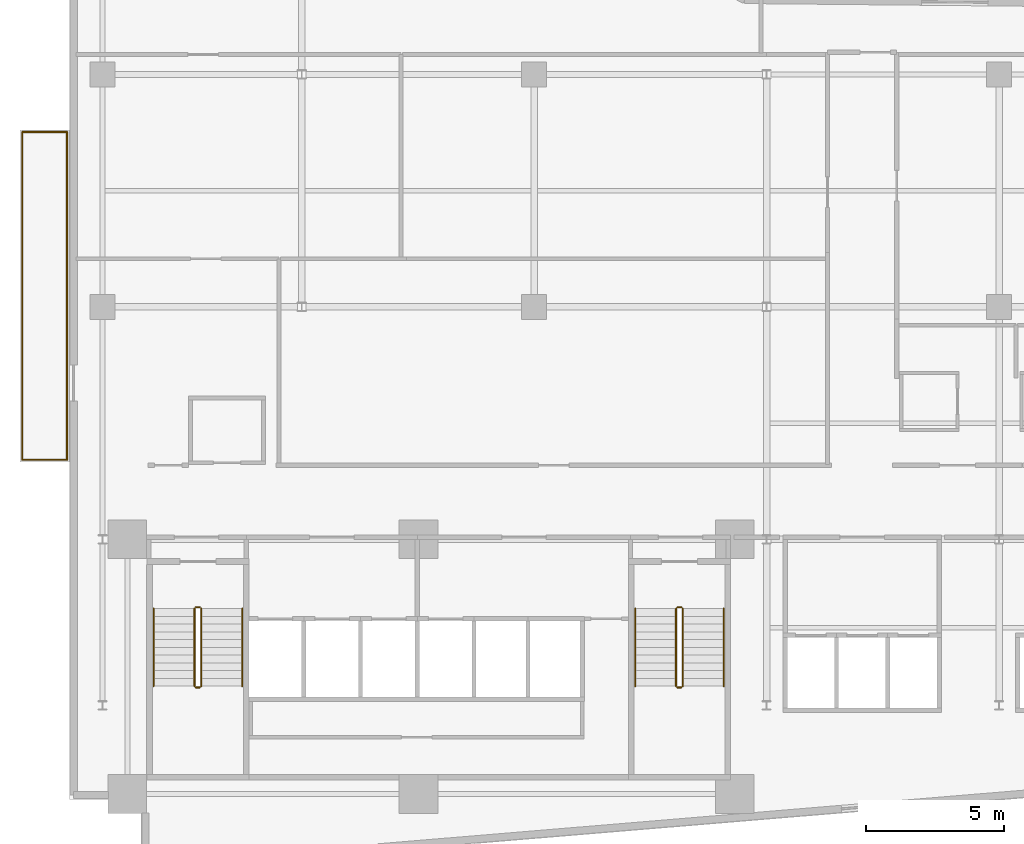
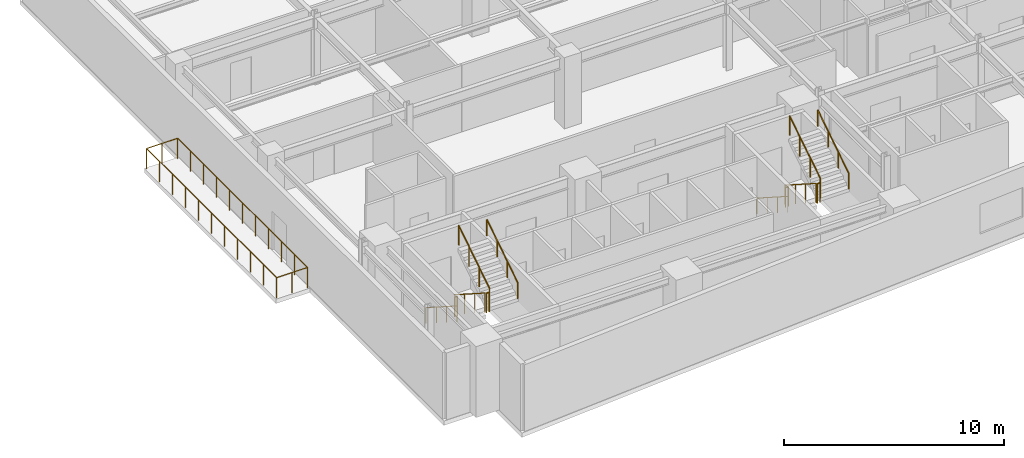
# One storey, part 16 of 19: 16 railings.
"""IFC4 building model written with IfcOpenShell, lengths in metres."""

from ifc_helpers import new_model, si_unit, direction, frame, origin, origin_2d, place, context, subcontext, project, spatial, circle, extrude, material, type_object, element, save


model = new_model("IFC4")

# Units and contexts
model_context = context("Model", 3, precision=1e-05, world=origin(), true_north=direction((0.0, 1.0)))
body_context = subcontext(model_context, "Body", "Model", "MODEL_VIEW")
ifc_project = project(units=[si_unit("LENGTHUNIT", "METRE"), si_unit("AREAUNIT", "SQUARE_METRE"), si_unit("VOLUMEUNIT", "CUBIC_METRE"), si_unit("PLANEANGLEUNIT", "RADIAN"), si_unit("MASSUNIT", "GRAM", prefix="KILO")], contexts=[model_context])

# Site, building, storey
site_placement = place(None, origin())
site = spatial("IfcSite", under=ifc_project, at=site_placement, CompositionType="ELEMENT")
building_placement = place(site_placement, origin())
building = spatial("IfcBuilding", under=site, at=building_placement, Name="Varnakote Quay Hospital", CompositionType="ELEMENT")
storey_placement = place(building_placement, frame((0.0, 0.0, 85.699951171875)))
storey = spatial("IfcBuildingStorey", under=building, at=storey_placement, Name="L21", CompositionType="ELEMENT", Elevation=85.699951171875)

# Railings
ifc_material_1 = material(Name="Anodised aluminium 6063-T6 Bronze", Category="aluminium")
railing_type_1 = type_object("IfcRailingType", Name="RLG-EXT-GUARD-1150", PredefinedType="GUARDRAIL", material=ifc_material_1)
railing_1_placement = place(storey_placement, frame((-0.075927734375, 14.8798828125, 0.0)))
element("IfcRailing", 1, at=railing_1_placement, inside=storey, type_object=railing_type_1, Name="L21 Zigzag Prow Healing Terrace Safety Guard", PredefinedType="GUARDRAIL", context=body_context, shape_type="SweptSolid", body=[
    extrude(circle(Radius=0.02392578125, at=origin_2d()), frame((0.0, 0.0, 1.1259765625), z_axis=(-1.0, 0.0, 0.0), x_axis=(0.0, -1.0, 0.0)), (0.0, 0.0, 1.0), 1.6240234375),
    extrude(circle(Radius=0.02099609375, at=origin_2d()), origin(), (0.0, 0.0, 1.0), 1.101806640625),
    extrude(circle(Radius=0.02099609375, at=origin_2d()), frame((-0.81201171875, 0.0, 0.0)), (0.0, 0.0, 1.0), 1.101806640625),
    extrude(circle(Radius=0.02099609375, at=origin_2d()), frame((-1.6240234375, 0.0, 0.0)), (0.0, 0.0, 1.0), 1.101806640625),
])
railing_2_placement = place(storey_placement, frame((-1.699951171875, 14.8798828125, 0.0)))
element("IfcRailing", 2, at=railing_2_placement, inside=storey, type_object=railing_type_1, Name="L21 Zigzag Prow Healing Terrace Safety Guard", PredefinedType="GUARDRAIL", context=body_context, shape_type="SweptSolid", body=[
    extrude(circle(Radius=0.02392578125, at=origin_2d()), frame((0.0, 0.0, 1.1259765625), z_axis=(0.0, 1.0, 0.0), x_axis=(-1.0, 0.0, 0.0)), (0.0, 0.0, 1.0), 11.840087890625),
    extrude(circle(Radius=0.02099609375, at=origin_2d()), origin(), (0.0, 0.0, 1.0), 1.101806640625),
    extrude(circle(Radius=0.02099609375, at=origin_2d()), frame((0.0, 1.18408203125, 0.0)), (0.0, 0.0, 1.0), 1.101806640625),
    extrude(circle(Radius=0.02099609375, at=origin_2d()), frame((0.0, 2.367919921875, 0.0)), (0.0, 0.0, 1.0), 1.101806640625),
    extrude(circle(Radius=0.02099609375, at=origin_2d()), frame((0.0, 3.552001953125, 0.0)), (0.0, 0.0, 1.0), 1.101806640625),
    extrude(circle(Radius=0.02099609375, at=origin_2d()), frame((0.0, 4.736083984375, 0.0)), (0.0, 0.0, 1.0), 1.101806640625),
    extrude(circle(Radius=0.02099609375, at=origin_2d()), frame((0.0, 5.919921875, 0.0)), (0.0, 0.0, 1.0), 1.101806640625),
    extrude(circle(Radius=0.02099609375, at=origin_2d()), frame((0.0, 7.10400390625, 0.0)), (0.0, 0.0, 1.0), 1.101806640625),
    extrude(circle(Radius=0.02099609375, at=origin_2d()), frame((0.0, 8.2880859375, 0.0)), (0.0, 0.0, 1.0), 1.101806640625),
    extrude(circle(Radius=0.02099609375, at=origin_2d()), frame((0.0, 9.47216796875, 0.0)), (0.0, 0.0, 1.0), 1.101806640625),
    extrude(circle(Radius=0.02099609375, at=origin_2d()), frame((0.0, 10.656005859375, 0.0)), (0.0, 0.0, 1.0), 1.101806640625),
    extrude(circle(Radius=0.02099609375, at=origin_2d()), frame((0.0, 11.840087890625, 0.0)), (0.0, 0.0, 1.0), 1.101806640625),
])
railing_3_placement = place(storey_placement, frame((-1.699951171875, 26.719970703125, 0.0)))
element("IfcRailing", 3, at=railing_3_placement, inside=storey, type_object=railing_type_1, Name="L21 Zigzag Prow Healing Terrace Safety Guard", PredefinedType="GUARDRAIL", context=body_context, shape_type="SweptSolid", body=[
    extrude(circle(Radius=0.02392578125, at=origin_2d()), frame((0.0, 0.0, 1.1259765625), z_axis=(1.0, 0.0, 0.0), x_axis=(0.0, 1.0, 0.0)), (0.0, 0.0, 1.0), 1.6240234375),
    extrude(circle(Radius=0.02099609375, at=origin_2d()), origin(), (0.0, 0.0, 1.0), 1.101806640625),
    extrude(circle(Radius=0.02099609375, at=origin_2d()), frame((0.81201171875, 0.0, 0.0)), (0.0, 0.0, 1.0), 1.101806640625),
    extrude(circle(Radius=0.02099609375, at=origin_2d()), frame((1.6240234375, 0.0, 0.0)), (0.0, 0.0, 1.0), 1.101806640625),
])
railing_4_placement = place(storey_placement, frame((-0.075927734375, 26.719970703125, 0.0)))
element("IfcRailing", 4, at=railing_4_placement, inside=storey, type_object=railing_type_1, Name="L21 Zigzag Prow Healing Terrace Safety Guard", PredefinedType="GUARDRAIL", context=body_context, shape_type="SweptSolid", body=[
    extrude(circle(Radius=0.02392578125, at=origin_2d()), frame((0.0, 0.0, 1.1259765625), z_axis=(0.0, -1.0, 0.0), x_axis=(1.0, 0.0, 0.0)), (0.0, 0.0, 1.0), 11.840087890625),
    extrude(circle(Radius=0.02099609375, at=origin_2d()), origin(), (0.0, 0.0, 1.0), 1.101806640625),
    extrude(circle(Radius=0.02099609375, at=origin_2d()), frame((0.0, -1.18408203125, 0.0)), (0.0, 0.0, 1.0), 1.101806640625),
    extrude(circle(Radius=0.02099609375, at=origin_2d()), frame((0.0, -2.367919921875, 0.0)), (0.0, 0.0, 1.0), 1.101806640625),
    extrude(circle(Radius=0.02099609375, at=origin_2d()), frame((0.0, -3.552001953125, 0.0)), (0.0, 0.0, 1.0), 1.101806640625),
    extrude(circle(Radius=0.02099609375, at=origin_2d()), frame((0.0, -4.736083984375, 0.0)), (0.0, 0.0, 1.0), 1.101806640625),
    extrude(circle(Radius=0.02099609375, at=origin_2d()), frame((0.0, -5.919921875, 0.0)), (0.0, 0.0, 1.0), 1.101806640625),
    extrude(circle(Radius=0.02099609375, at=origin_2d()), frame((0.0, -7.10400390625, 0.0)), (0.0, 0.0, 1.0), 1.101806640625),
    extrude(circle(Radius=0.02099609375, at=origin_2d()), frame((0.0, -8.2880859375, 0.0)), (0.0, 0.0, 1.0), 1.101806640625),
    extrude(circle(Radius=0.02099609375, at=origin_2d()), frame((0.0, -9.47216796875, 0.0)), (0.0, 0.0, 1.0), 1.101806640625),
    extrude(circle(Radius=0.02099609375, at=origin_2d()), frame((0.0, -10.656005859375, 0.0)), (0.0, 0.0, 1.0), 1.101806640625),
    extrude(circle(Radius=0.02099609375, at=origin_2d()), frame((0.0, -11.840087890625, 0.0)), (0.0, 0.0, 1.0), 1.101806640625),
])
ifc_material_2 = material(Name="Brushed stainless steel balustrade", Category="steel")
railing_type_2 = type_object("IfcRailingType", Name="RLG-STAIR-GUARD-1150", PredefinedType="GUARDRAIL", material=ifc_material_2)
railing_5_placement = place(storey_placement, frame((4.530029296875, 9.5, 0.1796875)))
element("IfcRailing", 5, at=railing_5_placement, inside=storey, type_object=railing_type_2, Name="L21 ST-01 stair guard 1", PredefinedType="GUARDRAIL", context=body_context, shape_type="SweptSolid", body=[
    extrude(circle(Radius=0.02392578125, at=origin_2d()), frame((0.0, 0.0, 1.076171875), z_axis=(0.0, -0.841809871826, 0.539774156196), x_axis=(1.0, 0.0, 0.0)), (0.0, 0.0, 1.0), 3.326171875),
    extrude(circle(Radius=0.02099609375, at=origin_2d()), origin(), (0.0, 0.0, 1.0), 1.052001953125),
    extrude(circle(Radius=0.02099609375, at=origin_2d()), frame((0.0, -0.933349609375, 0.598388671875)), (0.0, 0.0, 1.0), 1.052001953125),
    extrude(circle(Radius=0.02099609375, at=origin_2d()), frame((0.0, -1.86669921875, 1.197021484375)), (0.0, 0.0, 1.0), 1.052001953125),
    extrude(circle(Radius=0.02099609375, at=origin_2d()), frame((0.0, -2.800048828125, 1.79541015625)), (0.0, 0.0, 1.0), 1.052001953125),
])
railing_6_placement = place(storey_placement, frame((4.580078125, 6.64990234375, 1.97509765625)))
element("IfcRailing", 6, at=railing_6_placement, inside=storey, type_object=railing_type_2, Name="L21 ST-01 stair guard 2", PredefinedType="GUARDRAIL", context=body_context, shape_type="SweptSolid", body=[
    extrude(circle(Radius=0.02392578125, at=origin_2d()), frame((0.0, 0.0, 1.076171875), z_axis=(1.0, 0.0, 0.0), x_axis=(0.0, 1.0, 0.0)), (0.0, 0.0, 1.0), 0.139892578125),
    extrude(circle(Radius=0.02099609375, at=origin_2d()), origin(), (0.0, 0.0, 1.0), 1.052001953125),
    extrude(circle(Radius=0.02099609375, at=origin_2d()), frame((0.139892578125, 0.0, 0.0)), (0.0, 0.0, 1.0), 1.052001953125),
])
railing_7_placement = place(storey_placement, frame((4.77001953125, 6.699951171875, 2.154541015625)))
element("IfcRailing", 7, at=railing_7_placement, inside=storey, type_object=railing_type_2, Name="L21 ST-01 stair guard 3", PredefinedType="GUARDRAIL", context=body_context, shape_type="SweptSolid", body=[
    extrude(circle(Radius=0.02392578125, at=origin_2d()), frame((0.0, 0.0, 1.076171875), z_axis=(0.0, 0.841809871826, 0.539774156196), x_axis=(-1.0, 0.0, 0.0)), (0.0, 0.0, 1.0), 3.326171875),
    extrude(circle(Radius=0.02099609375, at=origin_2d()), origin(), (0.0, 0.0, 1.0), 1.052001953125),
    extrude(circle(Radius=0.02099609375, at=origin_2d()), frame((0.0, 0.933349609375, 0.598388671875)), (0.0, 0.0, 1.0), 1.052001953125),
    extrude(circle(Radius=0.02099609375, at=origin_2d()), frame((0.0, 1.86669921875, 1.197021484375)), (0.0, 0.0, 1.0), 1.052001953125),
    extrude(circle(Radius=0.02099609375, at=origin_2d()), frame((0.0, 2.800048828125, 1.79541015625)), (0.0, 0.0, 1.0), 1.052001953125),
])
railing_8_placement = place(storey_placement, frame((4.580078125, 9.550048828125, 0.0)))
element("IfcRailing", 8, at=railing_8_placement, inside=storey, type_object=railing_type_2, Name="L21 ST-01 stair guard 4", PredefinedType="GUARDRAIL", context=body_context, shape_type="SweptSolid", body=[
    extrude(circle(Radius=0.02392578125, at=origin_2d()), frame((0.0, 0.0, 1.076171875), z_axis=(1.0, 0.0, 0.0), x_axis=(0.0, 1.0, 0.0)), (0.0, 0.0, 1.0), 0.139892578125),
    extrude(circle(Radius=0.02099609375, at=origin_2d()), origin(), (0.0, 0.0, 1.0), 1.052001953125),
    extrude(circle(Radius=0.02099609375, at=origin_2d()), frame((0.139892578125, 0.0, 0.0)), (0.0, 0.0, 1.0), 1.052001953125),
])
railing_9_placement = place(storey_placement, frame((21.929931640625, 9.5, 0.1796875)))
element("IfcRailing", 9, at=railing_9_placement, inside=storey, type_object=railing_type_2, Name="L21 ST-02 stair guard 1", PredefinedType="GUARDRAIL", context=body_context, shape_type="SweptSolid", body=[
    extrude(circle(Radius=0.02392578125, at=origin_2d()), frame((0.0, 0.0, 1.076171875), z_axis=(0.0, -0.841809871826, 0.539774156196), x_axis=(1.0, 0.0, 0.0)), (0.0, 0.0, 1.0), 3.326171875),
    extrude(circle(Radius=0.02099609375, at=origin_2d()), origin(), (0.0, 0.0, 1.0), 1.052001953125),
    extrude(circle(Radius=0.02099609375, at=origin_2d()), frame((0.0, -0.933349609375, 0.598388671875)), (0.0, 0.0, 1.0), 1.052001953125),
    extrude(circle(Radius=0.02099609375, at=origin_2d()), frame((0.0, -1.86669921875, 1.197021484375)), (0.0, 0.0, 1.0), 1.052001953125),
    extrude(circle(Radius=0.02099609375, at=origin_2d()), frame((0.0, -2.800048828125, 1.79541015625)), (0.0, 0.0, 1.0), 1.052001953125),
])
railing_10_placement = place(storey_placement, frame((21.97998046875, 6.64990234375, 1.97509765625)))
element("IfcRailing", 10, at=railing_10_placement, inside=storey, type_object=railing_type_2, Name="L21 ST-02 stair guard 2", PredefinedType="GUARDRAIL", context=body_context, shape_type="SweptSolid", body=[
    extrude(circle(Radius=0.02392578125, at=origin_2d()), frame((0.0, 0.0, 1.076171875), z_axis=(1.0, 0.0, 0.0), x_axis=(0.0, 1.0, 0.0)), (0.0, 0.0, 1.0), 0.14013671875),
    extrude(circle(Radius=0.02099609375, at=origin_2d()), origin(), (0.0, 0.0, 1.0), 1.052001953125),
    extrude(circle(Radius=0.02099609375, at=origin_2d()), frame((0.14013671875, 0.0, 0.0)), (0.0, 0.0, 1.0), 1.052001953125),
])
railing_11_placement = place(storey_placement, frame((22.169921875, 6.699951171875, 2.154541015625)))
element("IfcRailing", 11, at=railing_11_placement, inside=storey, type_object=railing_type_2, Name="L21 ST-02 stair guard 3", PredefinedType="GUARDRAIL", context=body_context, shape_type="SweptSolid", body=[
    extrude(circle(Radius=0.02392578125, at=origin_2d()), frame((0.0, 0.0, 1.076171875), z_axis=(0.0, 0.841809871826, 0.539774156196), x_axis=(-1.0, 0.0, 0.0)), (0.0, 0.0, 1.0), 3.326171875),
    extrude(circle(Radius=0.02099609375, at=origin_2d()), origin(), (0.0, 0.0, 1.0), 1.052001953125),
    extrude(circle(Radius=0.02099609375, at=origin_2d()), frame((0.0, 0.933349609375, 0.598388671875)), (0.0, 0.0, 1.0), 1.052001953125),
    extrude(circle(Radius=0.02099609375, at=origin_2d()), frame((0.0, 1.86669921875, 1.197021484375)), (0.0, 0.0, 1.0), 1.052001953125),
    extrude(circle(Radius=0.02099609375, at=origin_2d()), frame((0.0, 2.800048828125, 1.79541015625)), (0.0, 0.0, 1.0), 1.052001953125),
])
railing_12_placement = place(storey_placement, frame((21.97998046875, 9.550048828125, 0.0)))
element("IfcRailing", 12, at=railing_12_placement, inside=storey, type_object=railing_type_2, Name="L21 ST-02 stair guard 4", PredefinedType="GUARDRAIL", context=body_context, shape_type="SweptSolid", body=[
    extrude(circle(Radius=0.02392578125, at=origin_2d()), frame((0.0, 0.0, 1.076171875), z_axis=(1.0, 0.0, 0.0), x_axis=(0.0, 1.0, 0.0)), (0.0, 0.0, 1.0), 0.14013671875),
    extrude(circle(Radius=0.02099609375, at=origin_2d()), origin(), (0.0, 0.0, 1.0), 1.052001953125),
    extrude(circle(Radius=0.02099609375, at=origin_2d()), frame((0.14013671875, 0.0, 0.0)), (0.0, 0.0, 1.0), 1.052001953125),
])
ifc_material_3 = material(Name="Brushed stainless steel handrail", Category="steel")
railing_type_3 = type_object("IfcRailingType", Name="RLG-STAIR-HND-920", PredefinedType="HANDRAIL", material=ifc_material_3)
railing_13_placement = place(storey_placement, frame((3.050048828125, 9.5, 0.1796875)))
element("IfcRailing", 13, at=railing_13_placement, inside=storey, type_object=railing_type_3, Name="L21 ST-01 stair handrail 1", PredefinedType="HANDRAIL", context=body_context, shape_type="SweptSolid", body=[
    extrude(circle(Radius=0.02392578125, at=origin_2d()), frame((0.0, 0.0, 0.8759765625), z_axis=(0.0, -0.841809871826, 0.539774156196), x_axis=(1.0, 0.0, 0.0)), (0.0, 0.0, 1.0), 3.326171875),
    extrude(circle(Radius=0.02099609375, at=origin_2d()), origin(), (0.0, 0.0, 1.0), 0.851806640625),
    extrude(circle(Radius=0.02099609375, at=origin_2d()), frame((0.0, -0.933349609375, 0.598388671875)), (0.0, 0.0, 1.0), 0.851806640625),
    extrude(circle(Radius=0.02099609375, at=origin_2d()), frame((0.0, -1.86669921875, 1.197021484375)), (0.0, 0.0, 1.0), 0.851806640625),
    extrude(circle(Radius=0.02099609375, at=origin_2d()), frame((0.0, -2.800048828125, 1.79541015625)), (0.0, 0.0, 1.0), 0.851806640625),
])
railing_14_placement = place(storey_placement, frame((6.25, 6.699951171875, 2.154541015625)))
element("IfcRailing", 14, at=railing_14_placement, inside=storey, type_object=railing_type_3, Name="L21 ST-01 stair handrail 2", PredefinedType="HANDRAIL", context=body_context, shape_type="SweptSolid", body=[
    extrude(circle(Radius=0.02392578125, at=origin_2d()), frame((0.0, 0.0, 0.8759765625), z_axis=(0.0, 0.841809871826, 0.539774156196), x_axis=(-1.0, 0.0, 0.0)), (0.0, 0.0, 1.0), 3.326171875),
    extrude(circle(Radius=0.02099609375, at=origin_2d()), origin(), (0.0, 0.0, 1.0), 0.851806640625),
    extrude(circle(Radius=0.02099609375, at=origin_2d()), frame((0.0, 0.933349609375, 0.598388671875)), (0.0, 0.0, 1.0), 0.851806640625),
    extrude(circle(Radius=0.02099609375, at=origin_2d()), frame((0.0, 1.86669921875, 1.197021484375)), (0.0, 0.0, 1.0), 0.851806640625),
    extrude(circle(Radius=0.02099609375, at=origin_2d()), frame((0.0, 2.800048828125, 1.79541015625)), (0.0, 0.0, 1.0), 0.851806640625),
])
railing_15_placement = place(storey_placement, frame((20.449951171875, 9.5, 0.1796875)))
element("IfcRailing", 15, at=railing_15_placement, inside=storey, type_object=railing_type_3, Name="L21 ST-02 stair handrail 1", PredefinedType="HANDRAIL", context=body_context, shape_type="SweptSolid", body=[
    extrude(circle(Radius=0.02392578125, at=origin_2d()), frame((0.0, 0.0, 0.8759765625), z_axis=(0.0, -0.841809871826, 0.539774156196), x_axis=(1.0, 0.0, 0.0)), (0.0, 0.0, 1.0), 3.326171875),
    extrude(circle(Radius=0.02099609375, at=origin_2d()), origin(), (0.0, 0.0, 1.0), 0.851806640625),
    extrude(circle(Radius=0.02099609375, at=origin_2d()), frame((0.0, -0.933349609375, 0.598388671875)), (0.0, 0.0, 1.0), 0.851806640625),
    extrude(circle(Radius=0.02099609375, at=origin_2d()), frame((0.0, -1.86669921875, 1.197021484375)), (0.0, 0.0, 1.0), 0.851806640625),
    extrude(circle(Radius=0.02099609375, at=origin_2d()), frame((0.0, -2.800048828125, 1.79541015625)), (0.0, 0.0, 1.0), 0.851806640625),
])
railing_16_placement = place(storey_placement, frame((23.64990234375, 6.699951171875, 2.154541015625)))
element("IfcRailing", 16, at=railing_16_placement, inside=storey, type_object=railing_type_3, Name="L21 ST-02 stair handrail 2", PredefinedType="HANDRAIL", context=body_context, shape_type="SweptSolid", body=[
    extrude(circle(Radius=0.02392578125, at=origin_2d()), frame((0.0, 0.0, 0.8759765625), z_axis=(0.0, 0.841809871826, 0.539774156196), x_axis=(-1.0, 0.0, 0.0)), (0.0, 0.0, 1.0), 3.326171875),
    extrude(circle(Radius=0.02099609375, at=origin_2d()), origin(), (0.0, 0.0, 1.0), 0.851806640625),
    extrude(circle(Radius=0.02099609375, at=origin_2d()), frame((0.0, 0.933349609375, 0.598388671875)), (0.0, 0.0, 1.0), 0.851806640625),
    extrude(circle(Radius=0.02099609375, at=origin_2d()), frame((0.0, 1.86669921875, 1.197021484375)), (0.0, 0.0, 1.0), 0.851806640625),
    extrude(circle(Radius=0.02099609375, at=origin_2d()), frame((0.0, 2.800048828125, 1.79541015625)), (0.0, 0.0, 1.0), 0.851806640625),
])

save(model, "model.ifc")
